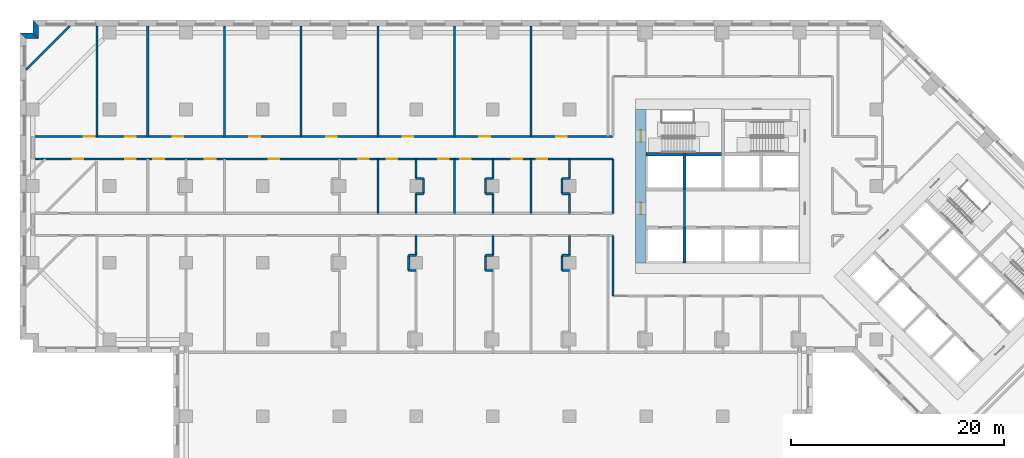
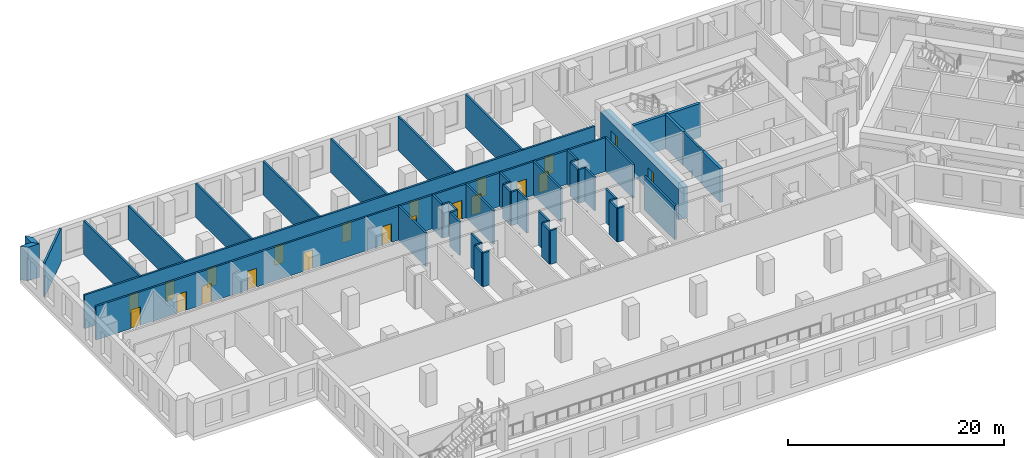
# One storey, part 5 of 14: 49 walls, 21 doors, 21 openings.
"""IFC4 building model written with IfcOpenShell, lengths in metres."""

import ifcopenshell
import ifcopenshell.guid

model = None  # the IFC model being written
_history = None  # IfcOwnerHistory: only IFC2X3 demands one
_inside = {}  # id of a spatial element -> (the spatial element, [elements in it])
_under = {}  # id of a project, library or spatial element -> (it, [spatial elements below it])
_declared = {}  # id of a project -> (the project, [libraries it declares])
_typed = {}  # id of a type object -> (the type object, [elements of that type])
_made_of = {}  # id of a material, layer set ... -> (it, [elements and type objects made of it])


def new_model(schema):
    """Start an empty IFC model of exactly this schema.

    Asked for "IFC4X3", IfcOpenShell would pick the latest addendum, in which some entities
    have other attributes; the version numbers below select the first issue.
    IFC2X3 requires an IfcOwnerHistory on every rooted entity: one is made here for all.
    """
    global model, _history
    if schema == "IFC4X3":
        model = ifcopenshell.file(schema_version=(4, 3, 0, 0))
    else:
        model = ifcopenshell.file(schema=schema)
    _inside.clear()
    _under.clear()
    _declared.clear()
    _typed.clear()
    _made_of.clear()
    _history = None
    if model.schema == "IFC2X3":
        org = make("IfcOrganization", Name="unknown")
        user = make(
            "IfcPersonAndOrganization",
            ThePerson=make("IfcPerson", FamilyName="unknown"),
            TheOrganization=org,
        )
        app = make(
            "IfcApplication",
            ApplicationDeveloper=org,
            Version="unknown",
            ApplicationFullName="unknown",
            ApplicationIdentifier="unknown",
        )
        _history = make(
            "IfcOwnerHistory",
            OwningUser=user,
            OwningApplication=app,
            ChangeAction="ADDED",
            CreationDate=0,
        )
    return model


def make(cls, **values):
    """One entity of the class cls with the attributes given. An attribute that is None is left unset."""
    return model.create_entity(
        cls, **{name: value for name, value in values.items() if value is not None}
    )


def rooted(cls, **values):
    """An entity with a GlobalId (a new one), such as an element, a storey or a relation."""
    return make(cls, GlobalId=ifcopenshell.guid.new(), OwnerHistory=_history, **values)


def si_unit(unit_type, name, prefix=None):
    """IfcSIUnit, for example si_unit("LENGTHUNIT", "METRE", prefix="MILLI")."""
    return make("IfcSIUnit", UnitType=unit_type, Prefix=prefix, Name=name)


def assignment(units):
    """IfcUnitAssignment: the units of a project."""
    return None if units is None else make("IfcUnitAssignment", Units=units)


def point(xyz):
    """IfcCartesianPoint."""
    return None if xyz is None else make("IfcCartesianPoint", Coordinates=xyz)


def direction(xyz):
    """IfcDirection."""
    return None if xyz is None else make("IfcDirection", DirectionRatios=xyz)


def frame(location, z_axis=None, x_axis=None):
    """IfcAxis2Placement3D, a coordinate frame: its origin and axes. An axis left out is left unset."""
    return make(
        "IfcAxis2Placement3D",
        Location=point(location),
        Axis=direction(z_axis),
        RefDirection=direction(x_axis),
    )


def frame_2d(location, x_axis=None):
    """IfcAxis2Placement2D, a coordinate frame in the plane: its origin and x axis."""
    return make(
        "IfcAxis2Placement2D", Location=point(location), RefDirection=direction(x_axis)
    )


def origin():
    """The frame at (0, 0, 0) with its axes left unset."""
    return frame((0.0, 0.0, 0.0))


def place(relative_to, where):
    """IfcLocalPlacement: puts the frame where relative to a parent placement (None: the world)."""
    return make(
        "IfcLocalPlacement", PlacementRelTo=relative_to, RelativePlacement=where
    )


def context(
    kind, dimensions, precision=None, world=None, true_north=None, identifier=None
):
    """IfcGeometricRepresentationContext, for example the 3D "Model" context."""
    return make(
        "IfcGeometricRepresentationContext",
        ContextIdentifier=identifier,
        ContextType=kind,
        CoordinateSpaceDimension=dimensions,
        Precision=precision,
        WorldCoordinateSystem=world,
        TrueNorth=true_north,
    )


def subcontext(parent, identifier, kind, view, scale=None):
    """IfcGeometricRepresentationSubContext, for example "Body" below "Model"."""
    return make(
        "IfcGeometricRepresentationSubContext",
        ContextIdentifier=identifier,
        ContextType=kind,
        ParentContext=parent,
        TargetScale=scale,
        TargetView=view,
    )


def project(units=None, contexts=None):
    """IfcProject with its units and contexts."""
    return rooted(
        "IfcProject",
        Name="project",
        RepresentationContexts=contexts,
        UnitsInContext=assignment(units),
    )


def spatial(cls, under=None, at=None, **own):
    """A site, building, storey or space (cls), placed at a placement, below another one or the project."""
    s = rooted(cls, ObjectPlacement=at, **own)
    if under is not None:
        _under.setdefault(under.id(), (under, []))[1].append(s)
    return s


def polyline(points):
    """IfcPolyline through the points."""
    return make("IfcPolyline", Points=[point(p) for p in points])


def profile(cls, at=None, kind="AREA", **sizes):
    """A parametric profile (cls). Its sizes go by their IFC names, for example OverallWidth=200.0."""
    return make(cls, ProfileType=kind, Position=at, **sizes)


def rectangle(**sizes):
    """IfcRectangleProfileDef."""
    return profile("IfcRectangleProfileDef", **sizes)


def outline(outer, holes=None, kind="AREA"):
    """IfcArbitraryClosedProfileDef: a profile drawn as a closed curve; with holes, ...WithVoids."""
    if holes is None:
        return make("IfcArbitraryClosedProfileDef", ProfileType=kind, OuterCurve=outer)
    return make(
        "IfcArbitraryProfileDefWithVoids",
        ProfileType=kind,
        OuterCurve=outer,
        InnerCurves=holes,
    )


def extrude(swept, where, along, depth):
    """IfcExtrudedAreaSolid: the profile swept, set in the frame where, extruded along a direction by depth."""
    return make(
        "IfcExtrudedAreaSolid",
        SweptArea=swept,
        Position=where,
        ExtrudedDirection=direction(along),
        Depth=depth,
    )


def shape(context_of_items, identifier, shape_type, items):
    """IfcShapeRepresentation: the items that make up one representation, for example the "Body"."""
    return make(
        "IfcShapeRepresentation",
        ContextOfItems=context_of_items,
        RepresentationIdentifier=identifier,
        RepresentationType=shape_type,
        Items=items,
    )


def material(Name=None, Category=None):
    """IfcMaterial."""
    return make("IfcMaterial", Name=Name, Category=Category)


def layer(
    of_material, thickness, ventilated=None, Name=None, Category=None, Priority=None
):
    """IfcMaterialLayer: one layer of a wall or slab, of a material (None: an air gap)."""
    return make(
        "IfcMaterialLayer",
        Material=of_material,
        LayerThickness=thickness,
        IsVentilated=ventilated,
        Name=Name,
        Category=Category,
        Priority=Priority,
    )


def layer_set(layers, Name=None):
    """IfcMaterialLayerSet."""
    return make("IfcMaterialLayerSet", MaterialLayers=layers, LayerSetName=Name)


def made_of(thing, what):
    """Note that an element or type object is made of a material, layer set ...; save() writes the relation."""
    if what is not None:
        _made_of.setdefault(what.id(), (what, []))[1].append(thing)
    return thing


def type_object(cls, material=None, **own):
    """A type object (cls), such as IfcWallType, which elements share."""
    return made_of(rooted(cls, **own), material)


def element(
    cls,
    number,
    at=None,
    inside=None,
    cuts=None,
    type_object=None,
    material=None,
    context=None,
    identifier="Body",
    shape_type=None,
    held_by="IfcProductDefinitionShape",
    body=None,
    shapes=None,
    **own,
):
    """One element of the class cls, such as IfcWall. Its Tag is "e" and its number.

    at: its placement. inside: the storey or other place that contains it. cuts: it is an
    opening in that element (IfcRelVoidsElement). A single representation is given by context,
    identifier, shape_type and body (its items); several are given by shapes. held_by: the class
    of the entity that holds the representations. save() writes the other relations.
    """
    e = rooted(cls, Tag="e%d" % number, ObjectPlacement=at, **own)
    if body is not None:
        shapes = [shape(context, identifier, shape_type, body)]
    if shapes is not None:
        e.Representation = make(held_by, Representations=shapes)
    if inside is not None:
        _inside.setdefault(inside.id(), (inside, []))[1].append(e)
    if cuts is not None:
        rooted(
            "IfcRelVoidsElement", RelatingBuildingElement=cuts, RelatedOpeningElement=e
        )
    if type_object is not None:
        _typed.setdefault(type_object.id(), (type_object, []))[1].append(e)
    return made_of(e, material)


def fill(opening, filler):
    """IfcRelFillsElement: the door or window that sits in an opening."""
    return rooted(
        "IfcRelFillsElement",
        RelatingOpeningElement=opening,
        RelatedBuildingElement=filler,
    )


def aggregate(whole, parts):
    """IfcRelAggregates: a whole, such as a stair, and the parts it consists of."""
    return rooted("IfcRelAggregates", RelatingObject=whole, RelatedObjects=parts)


def save(model, path):
    """Write the relations noted so far, then the file.

    IfcRelAggregates (storeys below a building ...), IfcRelContainedInSpatialStructure (elements
    in a storey), IfcRelDefinesByType, IfcRelAssociatesMaterial and IfcRelDeclares: one each for
    every whole, place, type object, material and project.
    """
    for whole, parts in _under.values():
        aggregate(whole, parts)
    for where, things in _inside.values():
        rooted(
            "IfcRelContainedInSpatialStructure",
            RelatedElements=things,
            RelatingStructure=where,
        )
    for kind, things in _typed.values():
        rooted("IfcRelDefinesByType", RelatedObjects=things, RelatingType=kind)
    for what, things in _made_of.values():
        rooted("IfcRelAssociatesMaterial", RelatedObjects=things, RelatingMaterial=what)
    for by, libraries in _declared.values():
        rooted("IfcRelDeclares", RelatingContext=by, RelatedDefinitions=libraries)
    model.write(path)


model = new_model("IFC4")

# Units and contexts
model_context = context("Model", 3, precision=1e-05, world=origin(), true_north=direction((0.0, 1.0)))
body_context = subcontext(model_context, "Body", "Model", "MODEL_VIEW")
ifc_project = project(units=[si_unit("LENGTHUNIT", "METRE"), si_unit("AREAUNIT", "SQUARE_METRE"), si_unit("VOLUMEUNIT", "CUBIC_METRE"), si_unit("PLANEANGLEUNIT", "RADIAN"), si_unit("MASSUNIT", "GRAM", prefix="KILO")], contexts=[model_context])

# Site, building, storey
site_placement = place(None, origin())
site = spatial("IfcSite", under=ifc_project, at=site_placement, CompositionType="ELEMENT")
building_placement = place(site_placement, origin())
building = spatial("IfcBuilding", under=site, at=building_placement, Name="Windrow Commons", CompositionType="ELEMENT")
storey_placement = place(building_placement, frame((0.0, 0.0, 10.2)))
storey = spatial("IfcBuildingStorey", under=building, at=storey_placement, Name="L02", CompositionType="ELEMENT", Elevation=10.2)

# Walls
ifc_material_1 = material(Name="Brick masonry, red clay brick", Category="masonry")
ifc_layer_1 = layer(ifc_material_1, 0.55)
ifc_layer_set_1 = layer_set([ifc_layer_1], Name="Brick facade wall 550")
wall_type_1 = type_object("IfcWallType", Name="Brick facade wall 550", PredefinedType="SOLIDWALL", material=ifc_layer_set_1)
wall_1_placement = place(storey_placement, frame((0.275, 72.925, 0.0), z_axis=(0.0, 0.0, 1.0), x_axis=(0.0, -1.0, 0.0)))
element("IfcWall", 1, at=wall_1_placement, inside=storey, type_object=wall_type_1, Name="Brick facade wall L02 6", PredefinedType="SOLIDWALL", context=body_context, shape_type="SweptSolid", body=[
    extrude(outline(polyline([(-0.275, -0.275), (0.925, -0.275), (1.475, 0.275), (0.275, 0.275), (-0.275, -0.275)])), origin(), (0.0, 0.0, 1.0), 3.8),
])
wall_2_placement = place(storey_placement, frame((0.275, 71.725, 0.0), z_axis=(0.0, 0.0, 1.0), x_axis=(-1.0, 0.0, 0.0)))
element("IfcWall", 2, at=wall_2_placement, inside=storey, type_object=wall_type_1, Name="Brick facade wall L02 7", PredefinedType="SOLIDWALL", context=body_context, shape_type="SweptSolid", body=[
    extrude(outline(polyline([(0.275, -0.275), (1.475, -0.275), (0.925, 0.275), (-0.275, 0.275), (0.275, -0.275)])), origin(), (0.0, 0.0, 1.0), 3.8),
])
ifc_material_2 = material(Name="Blockwork partition", Category="masonry")
ifc_layer_2 = layer(ifc_material_2, 0.2)
ifc_layer_set_2 = layer_set([ifc_layer_2], Name="Fire lobby partition 200")
wall_type_2 = type_object("IfcWallType", Name="Fire lobby partition 200", PredefinedType="PARTITIONING", material=ifc_layer_set_2)
wall_3_placement = place(storey_placement, frame((61.2, 53.7, 0.0), z_axis=(0.0, 0.0, 1.0), x_axis=(0.0, 1.0, 0.0)))
element("IfcWall", 3, at=wall_3_placement, inside=storey, type_object=wall_type_2, Name="W-core-lobby-A-L02", PredefinedType="PARTITIONING", context=body_context, shape_type="SweptSolid", body=[
    extrude(rectangle(XDim=3.6, YDim=0.2, at=frame_2d((1.8, 0.0))), origin(), (0.0, 0.0, 1.0), 3.8),
])

# Wall, openings, doors
ifc_material_3 = material(Name="Blockwork partition", Category="masonry")
ifc_layer_3 = layer(ifc_material_3, 0.2)
ifc_layer_set_3 = layer_set([ifc_layer_3], Name="IW-CORRIDOR-200")
wall_type_3 = type_object("IfcWallType", Name="IW-CORRIDOR-200", PredefinedType="PARTITIONING", material=ifc_layer_set_3)
wall_4_placement = place(storey_placement, frame((0.002, 60.15, 0.0), z_axis=(0.0, 0.0, 1.0), x_axis=(1.0, 0.0, 0.0)))
wall_4 = element("IfcWall", 4, at=wall_4_placement, inside=storey, type_object=wall_type_3, Name="W-L02-W003", PredefinedType="PARTITIONING", context=body_context, shape_type="SweptSolid", body=[
    extrude(rectangle(XDim=54.498, YDim=0.2, at=frame_2d((27.249, 0.0))), origin(), (0.0, 0.0, 1.0), 3.8),
])
opening_1_placement = place(wall_4_placement, frame((8.6667, 0.0, 0.0)))
opening_1 = element("IfcOpeningElement", 5, at=opening_1_placement, cuts=wall_4, Name="Opening D310F", PredefinedType="OPENING", context=body_context, shape_type="SweptSolid", body=[
    extrude(rectangle(XDim=1.0, YDim=2.1, at=frame_2d((0.5, 1.05))), frame((0.0, 0.11, 0.0), z_axis=(0.0, -1.0, 0.0), x_axis=(1.0, 0.0, 0.0)), (0.0, 0.0, 1.0), 0.22),
])
opening_2_placement = place(wall_4_placement, frame((11.323, 0.0, 0.0)))
opening_2 = element("IfcOpeningElement", 6, at=opening_2_placement, cuts=wall_4, Name="Opening D310F", PredefinedType="OPENING", context=body_context, shape_type="SweptSolid", body=[
    extrude(rectangle(XDim=1.0, YDim=2.1, at=frame_2d((0.5, 1.05))), frame((0.0, 0.11, 0.0), z_axis=(0.0, -1.0, 0.0), x_axis=(1.0, 0.0, 0.0)), (0.0, 0.0, 1.0), 0.22),
])
opening_3_placement = place(wall_4_placement, frame((16.163, 0.0, 0.0)))
opening_3 = element("IfcOpeningElement", 7, at=opening_3_placement, cuts=wall_4, Name="Opening D310F", PredefinedType="OPENING", context=body_context, shape_type="SweptSolid", body=[
    extrude(rectangle(XDim=1.0, YDim=2.1, at=frame_2d((0.5, 1.05))), frame((0.0, 0.11, 0.0), z_axis=(0.0, -1.0, 0.0), x_axis=(1.0, 0.0, 0.0)), (0.0, 0.0, 1.0), 0.22),
])
opening_4_placement = place(wall_4_placement, frame((22.1397, 0.0, 0.0)))
opening_4 = element("IfcOpeningElement", 8, at=opening_4_placement, cuts=wall_4, Name="Opening D310F", PredefinedType="OPENING", context=body_context, shape_type="SweptSolid", body=[
    extrude(rectangle(XDim=1.0, YDim=2.1, at=frame_2d((0.5, 1.05))), frame((0.0, 0.11, 0.0), z_axis=(0.0, -1.0, 0.0), x_axis=(1.0, 0.0, 0.0)), (0.0, 0.0, 1.0), 0.22),
])
opening_5_placement = place(wall_4_placement, frame((30.563, 0.0, 0.0)))
opening_5 = element("IfcOpeningElement", 9, at=opening_5_placement, cuts=wall_4, Name="Opening D310F", PredefinedType="OPENING", context=body_context, shape_type="SweptSolid", body=[
    extrude(rectangle(XDim=1.0, YDim=2.1, at=frame_2d((0.5, 1.05))), frame((0.0, 0.11, 0.0), z_axis=(0.0, -1.0, 0.0), x_axis=(1.0, 0.0, 0.0)), (0.0, 0.0, 1.0), 0.22),
])
opening_6_placement = place(wall_4_placement, frame((33.233, 0.0, 0.0)))
opening_6 = element("IfcOpeningElement", 10, at=opening_6_placement, cuts=wall_4, Name="Opening D310F", PredefinedType="OPENING", context=body_context, shape_type="SweptSolid", body=[
    extrude(rectangle(XDim=1.0, YDim=2.1, at=frame_2d((0.5, 1.05))), frame((0.0, 0.11, 0.0), z_axis=(0.0, -1.0, 0.0), x_axis=(1.0, 0.0, 0.0)), (0.0, 0.0, 1.0), 0.22),
])
opening_7_placement = place(wall_4_placement, frame((38.073, 0.0, 0.0)))
opening_7 = element("IfcOpeningElement", 11, at=opening_7_placement, cuts=wall_4, Name="Opening D310F", PredefinedType="OPENING", context=body_context, shape_type="SweptSolid", body=[
    extrude(rectangle(XDim=1.0, YDim=2.1, at=frame_2d((0.5, 1.05))), frame((0.0, 0.11, 0.0), z_axis=(0.0, -1.0, 0.0), x_axis=(1.0, 0.0, 0.0)), (0.0, 0.0, 1.0), 0.22),
])
opening_8_placement = place(wall_4_placement, frame((40.123, 0.0, 0.0)))
opening_8 = element("IfcOpeningElement", 12, at=opening_8_placement, cuts=wall_4, Name="Opening D310F", PredefinedType="OPENING", context=body_context, shape_type="SweptSolid", body=[
    extrude(rectangle(XDim=1.0, YDim=2.1, at=frame_2d((0.5, 1.05))), frame((0.0, 0.11, 0.0), z_axis=(0.0, -1.0, 0.0), x_axis=(1.0, 0.0, 0.0)), (0.0, 0.0, 1.0), 0.22),
])
opening_9_placement = place(wall_4_placement, frame((44.963, 0.0, 0.0)))
opening_9 = element("IfcOpeningElement", 13, at=opening_9_placement, cuts=wall_4, Name="Opening D310F", PredefinedType="OPENING", context=body_context, shape_type="SweptSolid", body=[
    extrude(rectangle(XDim=1.0, YDim=2.1, at=frame_2d((0.5, 1.05))), frame((0.0, 0.11, 0.0), z_axis=(0.0, -1.0, 0.0), x_axis=(1.0, 0.0, 0.0)), (0.0, 0.0, 1.0), 0.22),
])
opening_10_placement = place(wall_4_placement, frame((47.323, 0.0, 0.0)))
opening_10 = element("IfcOpeningElement", 14, at=opening_10_placement, cuts=wall_4, Name="Opening D310F", PredefinedType="OPENING", context=body_context, shape_type="SweptSolid", body=[
    extrude(rectangle(XDim=1.0, YDim=2.1, at=frame_2d((0.5, 1.05))), frame((0.0, 0.11, 0.0), z_axis=(0.0, -1.0, 0.0), x_axis=(1.0, 0.0, 0.0)), (0.0, 0.0, 1.0), 0.22),
])
opening_11_placement = place(wall_4_placement, frame((3.7471, 0.0, 0.0)))
opening_11 = element("IfcOpeningElement", 15, at=opening_11_placement, cuts=wall_4, Name="Opening D310F", PredefinedType="OPENING", context=body_context, shape_type="SweptSolid", body=[
    extrude(rectangle(XDim=1.0, YDim=2.1, at=frame_2d((0.5, 1.05))), frame((0.0, 0.11, 0.0), z_axis=(0.0, -1.0, 0.0), x_axis=(1.0, 0.0, 0.0)), (0.0, 0.0, 1.0), 0.22),
])
ifc_material_4 = material(Name="Timber door leaf", Category="wood")
door_type_1 = type_object("IfcDoorType", Name="DT-AMENITY-1000", OperationType="SINGLE_SWING_LEFT", PredefinedType="DOOR", material=ifc_material_4)
door_1_placement = place(opening_1_placement, origin())
door_1 = element("IfcDoor", 16, at=door_1_placement, inside=storey, type_object=door_type_1, Name="D-L02-D018", OperationType="SINGLE_SWING_LEFT", OverallHeight=2.1, OverallWidth=1.0, PredefinedType="DOOR", context=body_context, shape_type="SweptSolid", body=[
    extrude(rectangle(XDim=1.0, YDim=2.1, at=frame_2d((0.5, 1.05))), frame((0.0, 0.025, 0.0), z_axis=(0.0, -1.0, 0.0), x_axis=(1.0, 0.0, 0.0)), (0.0, 0.0, 1.0), 0.05),
])
fill(opening_1, door_1)
door_2_placement = place(opening_2_placement, origin())
door_2 = element("IfcDoor", 17, at=door_2_placement, inside=storey, type_object=door_type_1, Name="D-L02-D019", OperationType="SINGLE_SWING_RIGHT", OverallHeight=2.1, OverallWidth=1.0, PredefinedType="DOOR", context=body_context, shape_type="SweptSolid", body=[
    extrude(rectangle(XDim=1.0, YDim=2.1, at=frame_2d((0.5, 1.05))), frame((0.0, 0.025, 0.0), z_axis=(0.0, -1.0, 0.0), x_axis=(1.0, 0.0, 0.0)), (0.0, 0.0, 1.0), 0.05),
])
fill(opening_2, door_2)
door_3_placement = place(opening_3_placement, origin())
door_3 = element("IfcDoor", 18, at=door_3_placement, inside=storey, type_object=door_type_1, Name="D-L02-D020", OperationType="SINGLE_SWING_LEFT", OverallHeight=2.1, OverallWidth=1.0, PredefinedType="DOOR", context=body_context, shape_type="SweptSolid", body=[
    extrude(rectangle(XDim=1.0, YDim=2.1, at=frame_2d((0.5, 1.05))), frame((0.0, 0.025, 0.0), z_axis=(0.0, -1.0, 0.0), x_axis=(1.0, 0.0, 0.0)), (0.0, 0.0, 1.0), 0.05),
])
fill(opening_3, door_3)
door_4_placement = place(opening_4_placement, origin())
door_4 = element("IfcDoor", 19, at=door_4_placement, inside=storey, type_object=door_type_1, Name="D-L02-D021", OperationType="SINGLE_SWING_RIGHT", OverallHeight=2.1, OverallWidth=1.0, PredefinedType="DOOR", context=body_context, shape_type="SweptSolid", body=[
    extrude(rectangle(XDim=1.0, YDim=2.1, at=frame_2d((0.5, 1.05))), frame((0.0, 0.025, 0.0), z_axis=(0.0, -1.0, 0.0), x_axis=(1.0, 0.0, 0.0)), (0.0, 0.0, 1.0), 0.05),
])
fill(opening_4, door_4)
door_5_placement = place(opening_5_placement, origin())
door_5 = element("IfcDoor", 20, at=door_5_placement, inside=storey, type_object=door_type_1, Name="D-L02-D022", OperationType="SINGLE_SWING_LEFT", OverallHeight=2.1, OverallWidth=1.0, PredefinedType="DOOR", context=body_context, shape_type="SweptSolid", body=[
    extrude(rectangle(XDim=1.0, YDim=2.1, at=frame_2d((0.5, 1.05))), frame((0.0, 0.025, 0.0), z_axis=(0.0, -1.0, 0.0), x_axis=(1.0, 0.0, 0.0)), (0.0, 0.0, 1.0), 0.05),
])
fill(opening_5, door_5)
door_6_placement = place(opening_6_placement, origin())
door_6 = element("IfcDoor", 21, at=door_6_placement, inside=storey, type_object=door_type_1, Name="D-L02-D023", OperationType="SINGLE_SWING_RIGHT", OverallHeight=2.1, OverallWidth=1.0, PredefinedType="DOOR", context=body_context, shape_type="SweptSolid", body=[
    extrude(rectangle(XDim=1.0, YDim=2.1, at=frame_2d((0.5, 1.05))), frame((0.0, 0.025, 0.0), z_axis=(0.0, -1.0, 0.0), x_axis=(1.0, 0.0, 0.0)), (0.0, 0.0, 1.0), 0.05),
])
fill(opening_6, door_6)
door_7_placement = place(opening_7_placement, origin())
door_7 = element("IfcDoor", 22, at=door_7_placement, inside=storey, type_object=door_type_1, Name="D-L02-D024", OperationType="SINGLE_SWING_LEFT", OverallHeight=2.1, OverallWidth=1.0, PredefinedType="DOOR", context=body_context, shape_type="SweptSolid", body=[
    extrude(rectangle(XDim=1.0, YDim=2.1, at=frame_2d((0.5, 1.05))), frame((0.0, 0.025, 0.0), z_axis=(0.0, -1.0, 0.0), x_axis=(1.0, 0.0, 0.0)), (0.0, 0.0, 1.0), 0.05),
])
fill(opening_7, door_7)
door_8_placement = place(opening_8_placement, origin())
door_8 = element("IfcDoor", 23, at=door_8_placement, inside=storey, type_object=door_type_1, Name="D-L02-D025", OperationType="SINGLE_SWING_RIGHT", OverallHeight=2.1, OverallWidth=1.0, PredefinedType="DOOR", context=body_context, shape_type="SweptSolid", body=[
    extrude(rectangle(XDim=1.0, YDim=2.1, at=frame_2d((0.5, 1.05))), frame((0.0, 0.025, 0.0), z_axis=(0.0, -1.0, 0.0), x_axis=(1.0, 0.0, 0.0)), (0.0, 0.0, 1.0), 0.05),
])
fill(opening_8, door_8)
door_9_placement = place(opening_9_placement, origin())
door_9 = element("IfcDoor", 24, at=door_9_placement, inside=storey, type_object=door_type_1, Name="D-L02-D026", OperationType="SINGLE_SWING_LEFT", OverallHeight=2.1, OverallWidth=1.0, PredefinedType="DOOR", context=body_context, shape_type="SweptSolid", body=[
    extrude(rectangle(XDim=1.0, YDim=2.1, at=frame_2d((0.5, 1.05))), frame((0.0, 0.025, 0.0), z_axis=(0.0, -1.0, 0.0), x_axis=(1.0, 0.0, 0.0)), (0.0, 0.0, 1.0), 0.05),
])
fill(opening_9, door_9)
door_10_placement = place(opening_10_placement, origin())
door_10 = element("IfcDoor", 25, at=door_10_placement, inside=storey, type_object=door_type_1, Name="D-L02-D027", OperationType="SINGLE_SWING_RIGHT", OverallHeight=2.1, OverallWidth=1.0, PredefinedType="DOOR", context=body_context, shape_type="SweptSolid", body=[
    extrude(rectangle(XDim=1.0, YDim=2.1, at=frame_2d((0.5, 1.05))), frame((0.0, 0.025, 0.0), z_axis=(0.0, -1.0, 0.0), x_axis=(1.0, 0.0, 0.0)), (0.0, 0.0, 1.0), 0.05),
])
fill(opening_10, door_10)
door_11_placement = place(opening_11_placement, origin())
door_11 = element("IfcDoor", 26, at=door_11_placement, inside=storey, type_object=door_type_1, Name="D-L02-D051", OperationType="SINGLE_SWING_LEFT", OverallHeight=2.1, OverallWidth=1.0, PredefinedType="DOOR", context=body_context, shape_type="SweptSolid", body=[
    extrude(rectangle(XDim=1.0, YDim=2.1, at=frame_2d((0.5, 1.05))), frame((0.0, 0.025, 0.0), z_axis=(0.0, -1.0, 0.0), x_axis=(1.0, 0.0, 0.0)), (0.0, 0.0, 1.0), 0.05),
])
fill(opening_11, door_11)

wall_5_placement = place(storey_placement, frame((0.002, 62.25, 0.0), z_axis=(0.0, 0.0, 1.0), x_axis=(1.0, 0.0, 0.0)))
wall_5 = element("IfcWall", 27, at=wall_5_placement, inside=storey, type_object=wall_type_3, Name="W-L02-W004", PredefinedType="PARTITIONING", context=body_context, shape_type="SweptSolid", body=[
    extrude(rectangle(XDim=54.498, YDim=0.2, at=frame_2d((27.249, 0.0))), origin(), (0.0, 0.0, 1.0), 3.8),
])
opening_12_placement = place(wall_5_placement, frame((8.6667, 0.0, 0.0)))
opening_12 = element("IfcOpeningElement", 28, at=opening_12_placement, cuts=wall_5, Name="Opening D310F", PredefinedType="OPENING", context=body_context, shape_type="SweptSolid", body=[
    extrude(rectangle(XDim=1.0, YDim=2.1, at=frame_2d((0.5, 1.05))), frame((0.0, 0.11, 0.0), z_axis=(0.0, -1.0, 0.0), x_axis=(1.0, 0.0, 0.0)), (0.0, 0.0, 1.0), 0.22),
])
opening_13_placement = place(wall_5_placement, frame((13.1355, 0.0, 0.0)))
opening_13 = element("IfcOpeningElement", 29, at=opening_13_placement, cuts=wall_5, Name="Opening D310F", PredefinedType="OPENING", context=body_context, shape_type="SweptSolid", body=[
    extrude(rectangle(XDim=1.0, YDim=2.1, at=frame_2d((0.5, 1.05))), frame((0.0, 0.11, 0.0), z_axis=(0.0, -1.0, 0.0), x_axis=(1.0, 0.0, 0.0)), (0.0, 0.0, 1.0), 0.22),
])
opening_14_placement = place(wall_5_placement, frame((20.3355, 0.0, 0.0)))
opening_14 = element("IfcOpeningElement", 30, at=opening_14_placement, cuts=wall_5, Name="Opening D310F", PredefinedType="OPENING", context=body_context, shape_type="SweptSolid", body=[
    extrude(rectangle(XDim=1.0, YDim=2.1, at=frame_2d((0.5, 1.05))), frame((0.0, 0.11, 0.0), z_axis=(0.0, -1.0, 0.0), x_axis=(1.0, 0.0, 0.0)), (0.0, 0.0, 1.0), 0.22),
])
opening_15_placement = place(wall_5_placement, frame((27.5355, 0.0, 0.0)))
opening_15 = element("IfcOpeningElement", 31, at=opening_15_placement, cuts=wall_5, Name="Opening D310F", PredefinedType="OPENING", context=body_context, shape_type="SweptSolid", body=[
    extrude(rectangle(XDim=1.0, YDim=2.1, at=frame_2d((0.5, 1.05))), frame((0.0, 0.11, 0.0), z_axis=(0.0, -1.0, 0.0), x_axis=(1.0, 0.0, 0.0)), (0.0, 0.0, 1.0), 0.22),
])
opening_16_placement = place(wall_5_placement, frame((34.7355, 0.0, 0.0)))
opening_16 = element("IfcOpeningElement", 32, at=opening_16_placement, cuts=wall_5, Name="Opening D310F", PredefinedType="OPENING", context=body_context, shape_type="SweptSolid", body=[
    extrude(rectangle(XDim=1.0, YDim=2.1, at=frame_2d((0.5, 1.05))), frame((0.0, 0.11, 0.0), z_axis=(0.0, -1.0, 0.0), x_axis=(1.0, 0.0, 0.0)), (0.0, 0.0, 1.0), 0.22),
])
opening_17_placement = place(wall_5_placement, frame((41.9355, 0.0, 0.0)))
opening_17 = element("IfcOpeningElement", 33, at=opening_17_placement, cuts=wall_5, Name="Opening D310F", PredefinedType="OPENING", context=body_context, shape_type="SweptSolid", body=[
    extrude(rectangle(XDim=1.0, YDim=2.1, at=frame_2d((0.5, 1.05))), frame((0.0, 0.11, 0.0), z_axis=(0.0, -1.0, 0.0), x_axis=(1.0, 0.0, 0.0)), (0.0, 0.0, 1.0), 0.22),
])
opening_18_placement = place(wall_5_placement, frame((49.1355, 0.0, 0.0)))
opening_18 = element("IfcOpeningElement", 34, at=opening_18_placement, cuts=wall_5, Name="Opening D310F", PredefinedType="OPENING", context=body_context, shape_type="SweptSolid", body=[
    extrude(rectangle(XDim=1.0, YDim=2.1, at=frame_2d((0.5, 1.05))), frame((0.0, 0.11, 0.0), z_axis=(0.0, -1.0, 0.0), x_axis=(1.0, 0.0, 0.0)), (0.0, 0.0, 1.0), 0.22),
])
opening_19_placement = place(wall_5_placement, frame((4.7992, 0.0, 0.0)))
opening_19 = element("IfcOpeningElement", 35, at=opening_19_placement, cuts=wall_5, Name="Opening D310F", PredefinedType="OPENING", context=body_context, shape_type="SweptSolid", body=[
    extrude(rectangle(XDim=1.0, YDim=2.1, at=frame_2d((0.5, 1.05))), frame((0.0, 0.11, 0.0), z_axis=(0.0, -1.0, 0.0), x_axis=(1.0, 0.0, 0.0)), (0.0, 0.0, 1.0), 0.22),
])
door_12_placement = place(opening_12_placement, origin())
door_12 = element("IfcDoor", 36, at=door_12_placement, inside=storey, type_object=door_type_1, Name="D-L02-D029", OperationType="SINGLE_SWING_RIGHT", OverallHeight=2.1, OverallWidth=1.0, PredefinedType="DOOR", context=body_context, shape_type="SweptSolid", body=[
    extrude(rectangle(XDim=1.0, YDim=2.1, at=frame_2d((0.5, 1.05))), frame((0.0, 0.025, 0.0), z_axis=(0.0, -1.0, 0.0), x_axis=(1.0, 0.0, 0.0)), (0.0, 0.0, 1.0), 0.05),
])
fill(opening_12, door_12)
door_13_placement = place(opening_13_placement, origin())
door_13 = element("IfcDoor", 37, at=door_13_placement, inside=storey, type_object=door_type_1, Name="D-L02-D030", OperationType="SINGLE_SWING_LEFT", OverallHeight=2.1, OverallWidth=1.0, PredefinedType="DOOR", context=body_context, shape_type="SweptSolid", body=[
    extrude(rectangle(XDim=1.0, YDim=2.1, at=frame_2d((0.5, 1.05))), frame((0.0, 0.025, 0.0), z_axis=(0.0, -1.0, 0.0), x_axis=(1.0, 0.0, 0.0)), (0.0, 0.0, 1.0), 0.05),
])
fill(opening_13, door_13)
door_14_placement = place(opening_14_placement, origin())
door_14 = element("IfcDoor", 38, at=door_14_placement, inside=storey, type_object=door_type_1, Name="D-L02-D031", OperationType="SINGLE_SWING_LEFT", OverallHeight=2.1, OverallWidth=1.0, PredefinedType="DOOR", context=body_context, shape_type="SweptSolid", body=[
    extrude(rectangle(XDim=1.0, YDim=2.1, at=frame_2d((0.5, 1.05))), frame((0.0, 0.025, 0.0), z_axis=(0.0, -1.0, 0.0), x_axis=(1.0, 0.0, 0.0)), (0.0, 0.0, 1.0), 0.05),
])
fill(opening_14, door_14)
door_15_placement = place(opening_15_placement, origin())
door_15 = element("IfcDoor", 39, at=door_15_placement, inside=storey, type_object=door_type_1, Name="D-L02-D032", OperationType="SINGLE_SWING_LEFT", OverallHeight=2.1, OverallWidth=1.0, PredefinedType="DOOR", context=body_context, shape_type="SweptSolid", body=[
    extrude(rectangle(XDim=1.0, YDim=2.1, at=frame_2d((0.5, 1.05))), frame((0.0, 0.025, 0.0), z_axis=(0.0, -1.0, 0.0), x_axis=(1.0, 0.0, 0.0)), (0.0, 0.0, 1.0), 0.05),
])
fill(opening_15, door_15)
door_16_placement = place(opening_16_placement, origin())
door_16 = element("IfcDoor", 40, at=door_16_placement, inside=storey, type_object=door_type_1, Name="D-L02-D033", OperationType="SINGLE_SWING_LEFT", OverallHeight=2.1, OverallWidth=1.0, PredefinedType="DOOR", context=body_context, shape_type="SweptSolid", body=[
    extrude(rectangle(XDim=1.0, YDim=2.1, at=frame_2d((0.5, 1.05))), frame((0.0, 0.025, 0.0), z_axis=(0.0, -1.0, 0.0), x_axis=(1.0, 0.0, 0.0)), (0.0, 0.0, 1.0), 0.05),
])
fill(opening_16, door_16)
door_17_placement = place(opening_17_placement, origin())
door_17 = element("IfcDoor", 41, at=door_17_placement, inside=storey, type_object=door_type_1, Name="D-L02-D034", OperationType="SINGLE_SWING_LEFT", OverallHeight=2.1, OverallWidth=1.0, PredefinedType="DOOR", context=body_context, shape_type="SweptSolid", body=[
    extrude(rectangle(XDim=1.0, YDim=2.1, at=frame_2d((0.5, 1.05))), frame((0.0, 0.025, 0.0), z_axis=(0.0, -1.0, 0.0), x_axis=(1.0, 0.0, 0.0)), (0.0, 0.0, 1.0), 0.05),
])
fill(opening_17, door_17)
door_18_placement = place(opening_18_placement, origin())
door_18 = element("IfcDoor", 42, at=door_18_placement, inside=storey, type_object=door_type_1, Name="D-L02-D035", OperationType="SINGLE_SWING_LEFT", OverallHeight=2.1, OverallWidth=1.0, PredefinedType="DOOR", context=body_context, shape_type="SweptSolid", body=[
    extrude(rectangle(XDim=1.0, YDim=2.1, at=frame_2d((0.5, 1.05))), frame((0.0, 0.025, 0.0), z_axis=(0.0, -1.0, 0.0), x_axis=(1.0, 0.0, 0.0)), (0.0, 0.0, 1.0), 0.05),
])
fill(opening_18, door_18)
door_19_placement = place(opening_19_placement, origin())
door_19 = element("IfcDoor", 43, at=door_19_placement, inside=storey, type_object=door_type_1, Name="D-L02-D050", OperationType="SINGLE_SWING_LEFT", OverallHeight=2.1, OverallWidth=1.0, PredefinedType="DOOR", context=body_context, shape_type="SweptSolid", body=[
    extrude(rectangle(XDim=1.0, YDim=2.1, at=frame_2d((0.5, 1.05))), frame((0.0, 0.025, 0.0), z_axis=(0.0, -1.0, 0.0), x_axis=(1.0, 0.0, 0.0)), (0.0, 0.0, 1.0), 0.05),
])
fill(opening_19, door_19)

# Walls
wall_6_placement = place(storey_placement, frame((54.5, 47.3, 0.0), z_axis=(0.0, 0.0, 1.0), x_axis=(0.0, 1.0, 0.0)))
element("IfcWall", 44, at=wall_6_placement, inside=storey, type_object=wall_type_3, Name="W-L02-W046", PredefinedType="PARTITIONING", context=body_context, shape_type="SweptSolid", body=[
    extrude(rectangle(XDim=5.65, YDim=0.2, at=frame_2d((2.825, 0.0))), origin(), (0.0, 0.0, 1.0), 3.8),
])
wall_7_placement = place(storey_placement, frame((54.5, 55.052, 0.0), z_axis=(0.0, 0.0, 1.0), x_axis=(0.0, 1.0, 0.0)))
element("IfcWall", 45, at=wall_7_placement, inside=storey, type_object=wall_type_3, Name="W-L02-W059", PredefinedType="PARTITIONING", context=body_context, shape_type="SweptSolid", body=[
    extrude(rectangle(XDim=5.098, YDim=0.2, at=frame_2d((2.549, 0.0))), origin(), (0.0, 0.0, 1.0), 3.8),
])
ifc_material_5 = material(Name="Blockwork partition", Category="masonry")
ifc_layer_4 = layer(ifc_material_5, 0.2)
ifc_layer_set_4 = layer_set([ifc_layer_4], Name="IW-PARTY-200")
wall_type_4 = type_object("IfcWallType", Name="IW-PARTY-200", PredefinedType="PARTITIONING", material=ifc_layer_set_4)
for number, where, z_axis, x_axis, name in (
    (46, (6.03, 62.25, 0.0), (0.0, 0.0, 1.0), (0.0, 1.0, 0.0), "W-L02-W019"),
    (47, (10.8, 62.25, 0.0), (0.0, 0.0, 1.0), (0.0, 1.0, 0.0), "W-L02-W020"),
    (48, (18.0, 62.25, 0.0), (0.0, 0.0, 1.0), (0.0, 1.0, 0.0), "W-L02-W021"),
    (49, (25.2, 62.25, 0.0), (0.0, 0.0, 1.0), (0.0, 1.0, 0.0), "W-L02-W022"),
    (50, (32.4, 62.25, 0.0), (0.0, 0.0, 1.0), (0.0, 1.0, 0.0), "W-L02-W023"),
    (51, (39.6, 62.25, 0.0), (0.0, 0.0, 1.0), (0.0, 1.0, 0.0), "W-L02-W024"),
    (52, (46.8, 62.25, 0.0), (0.0, 0.0, 1.0), (0.0, 1.0, 0.0), "W-L02-W025"),
):
    element("IfcWall", number, at=place(storey_placement, frame(where, z_axis=z_axis, x_axis=x_axis)), inside=storey, type_object=wall_type_4, Name=name, PredefinedType="PARTITIONING", context=body_context, shape_type="SweptSolid", body=[
        extrude(rectangle(XDim=10.4, YDim=0.2, at=frame_2d((5.2, 0.0))), origin(), (0.0, 0.0, 1.0), 3.8),
    ])
wall_8_placement = place(storey_placement, frame((-0.65, 68.5192, 0.0), z_axis=(0.0, 0.0, 1.0), x_axis=(0.7071067812, 0.7071067812, 0.0)))
element("IfcWall", 53, at=wall_8_placement, inside=storey, type_object=wall_type_4, Name="W-L02-W045", PredefinedType="PARTITIONING", context=body_context, shape_type="SweptSolid", body=[
    extrude(rectangle(XDim=5.8418, YDim=0.2, at=frame_2d((2.9209, 0.0))), origin(), (0.0, 0.0, 1.0), 3.8),
])
for number, where, z_axis, x_axis, name in (
    (54, (32.4, 55.05, 0.0), (0.0, 0.0, 1.0), (0.0, 1.0, 0.0), "W-L02-W056"),
    (55, (39.6, 55.05, 0.0), (0.0, 0.0, 1.0), (0.0, 1.0, 0.0), "W-L02-W057"),
    (56, (46.8, 55.05, 0.0), (0.0, 0.0, 1.0), (0.0, 1.0, 0.0), "W-L02-W058"),
):
    element("IfcWall", number, at=place(storey_placement, frame(where, z_axis=z_axis, x_axis=x_axis)), inside=storey, type_object=wall_type_4, Name=name, PredefinedType="PARTITIONING", context=body_context, shape_type="SweptSolid", body=[
        extrude(rectangle(XDim=5.1, YDim=0.2, at=frame_2d((2.55, 0.0))), origin(), (0.0, 0.0, 1.0), 3.8),
    ])
for number, where, z_axis, x_axis, name in (
    (57, (36.0, 51.106, 0.0), (0.0, 0.0, 1.0), (0.0, 1.0, 0.0), "W-L02-W090"),
    (58, (36.0, 55.05, 0.0), (0.0, 0.0, 1.0), (0.0, 1.0, 0.0), "W-L02-W091"),
    (59, (36.0, 58.306, 0.0), (0.0, 0.0, 1.0), (0.0, 1.0, 0.0), "W-L02-W092"),
    (60, (43.2, 51.106, 0.0), (0.0, 0.0, 1.0), (0.0, 1.0, 0.0), "W-L02-W093"),
    (61, (43.2, 55.05, 0.0), (0.0, 0.0, 1.0), (0.0, 1.0, 0.0), "W-L02-W094"),
    (62, (43.2, 58.306, 0.0), (0.0, 0.0, 1.0), (0.0, 1.0, 0.0), "W-L02-W095"),
    (63, (50.4, 51.106, 0.0), (0.0, 0.0, 1.0), (0.0, 1.0, 0.0), "W-L02-W096"),
    (64, (50.4, 55.05, 0.0), (0.0, 0.0, 1.0), (0.0, 1.0, 0.0), "W-L02-W097"),
    (65, (50.4, 58.306, 0.0), (0.0, 0.0, 1.0), (0.0, 1.0, 0.0), "W-L02-W098"),
):
    element("IfcWall", number, at=place(storey_placement, frame(where, z_axis=z_axis, x_axis=x_axis)), inside=storey, type_object=wall_type_4, Name=name, PredefinedType="PARTITIONING", context=body_context, shape_type="SweptSolid", body=[
        extrude(rectangle(XDim=1.844, YDim=0.2, at=frame_2d((0.922, 0.0))), origin(), (0.0, 0.0, 1.0), 3.8),
    ])
for number, where, z_axis, x_axis, name in (
    (66, (35.3, 49.694, 0.0), (0.0, 0.0, 1.0), (0.0, 1.0, 0.0), "W-L02-W110"),
    (67, (36.7, 56.894, 0.0), (0.0, 0.0, 1.0), (0.0, 1.0, 0.0), "W-L02-W111"),
    (68, (42.5, 49.694, 0.0), (0.0, 0.0, 1.0), (0.0, 1.0, 0.0), "W-L02-W112"),
    (69, (42.5, 56.894, 0.0), (0.0, 0.0, 1.0), (0.0, 1.0, 0.0), "W-L02-W113"),
    (70, (49.7, 49.694, 0.0), (0.0, 0.0, 1.0), (0.0, 1.0, 0.0), "W-L02-W114"),
    (71, (49.7, 56.894, 0.0), (0.0, 0.0, 1.0), (0.0, 1.0, 0.0), "W-L02-W115"),
):
    element("IfcWall", number, at=place(storey_placement, frame(where, z_axis=z_axis, x_axis=x_axis)), inside=storey, type_object=wall_type_4, Name=name, PredefinedType="PARTITIONING", context=body_context, shape_type="SweptSolid", body=[
        extrude(rectangle(XDim=1.412, YDim=0.2, at=frame_2d((0.706, 0.0))), origin(), (0.0, 0.0, 1.0), 3.8),
    ])
for number, where, z_axis, x_axis, name in (
    (72, (36.0, 58.31, 0.0), (0.0, 0.0, 1.0), (1.0, 0.0, 0.0), "W-L02-W138"),
    (73, (42.5, 58.31, 0.0), (0.0, 0.0, 1.0), (1.0, 0.0, 0.0), "W-L02-W139"),
    (74, (36.0, 56.89, 0.0), (0.0, 0.0, 1.0), (1.0, 0.0, 0.0), "W-L02-W140"),
    (75, (42.5, 56.89, 0.0), (0.0, 0.0, 1.0), (1.0, 0.0, 0.0), "W-L02-W141"),
    (76, (35.3, 51.11, 0.0), (0.0, 0.0, 1.0), (1.0, 0.0, 0.0), "W-L02-W142"),
    (77, (42.5, 51.11, 0.0), (0.0, 0.0, 1.0), (1.0, 0.0, 0.0), "W-L02-W143"),
    (78, (35.3, 49.69, 0.0), (0.0, 0.0, 1.0), (1.0, 0.0, 0.0), "W-L02-W144"),
    (79, (42.5, 49.69, 0.0), (0.0, 0.0, 1.0), (1.0, 0.0, 0.0), "W-L02-W145"),
    (80, (49.7, 58.31, 0.0), (0.0, 0.0, 1.0), (1.0, 0.0, 0.0), "W-L02-W166"),
    (81, (49.7, 56.89, 0.0), (0.0, 0.0, 1.0), (1.0, 0.0, 0.0), "W-L02-W167"),
    (82, (49.7, 51.11, 0.0), (0.0, 0.0, 1.0), (1.0, 0.0, 0.0), "W-L02-W168"),
    (83, (49.7, 49.69, 0.0), (0.0, 0.0, 1.0), (1.0, 0.0, 0.0), "W-L02-W169"),
):
    element("IfcWall", number, at=place(storey_placement, frame(where, z_axis=z_axis, x_axis=x_axis)), inside=storey, type_object=wall_type_4, Name=name, PredefinedType="PARTITIONING", context=body_context, shape_type="SweptSolid", body=[
        extrude(rectangle(XDim=0.7, YDim=0.2, at=frame_2d((0.35, 0.0))), origin(), (0.0, 0.0, 1.0), 3.8),
    ])

# Wall, openings, doors
ifc_material_6 = material(Name="Concrete C60/75", Category="concrete")
ifc_layer_5 = layer(ifc_material_6, 1.0)
ifc_layer_set_5 = layer_set([ifc_layer_5], Name="RC CORE WALL 1000 C60/75")
wall_type_5 = type_object("IfcWallType", Name="RC CORE WALL 1000 C60/75", PredefinedType="SHEAR", material=ifc_layer_set_5)
wall_9_placement = place(storey_placement, frame((57.1, 50.4, -0.4), z_axis=(0.0, 0.0, 1.0), x_axis=(0.0, 1.0, 0.0)))
wall_9 = element("IfcWall", 84, at=wall_9_placement, inside=storey, type_object=wall_type_5, Name="Core A wall outer-W", PredefinedType="SHEAR", context=body_context, shape_type="SweptSolid", body=[
    extrude(rectangle(XDim=14.4, YDim=1.0, at=frame_2d((7.2, 0.0))), origin(), (0.0, 0.0, 1.0), 3.5),
])
opening_20_placement = place(wall_9_placement, frame((4.55, 0.0, 0.4)))
opening_20 = element("IfcOpeningElement", 85, at=opening_20_placement, cuts=wall_9, Name="Opening D6", PredefinedType="OPENING", context=body_context, shape_type="SweptSolid", body=[
    extrude(rectangle(XDim=1.1, YDim=2.1, at=frame_2d((0.55, 1.05))), frame((0.0, 0.51, 0.0), z_axis=(0.0, -1.0, 0.0), x_axis=(1.0, 0.0, 0.0)), (0.0, 0.0, 1.0), 1.02),
])
opening_21_placement = place(wall_9_placement, frame((11.35, 0.0, 0.4)))
opening_21 = element("IfcOpeningElement", 86, at=opening_21_placement, cuts=wall_9, Name="Opening D7", PredefinedType="OPENING", context=body_context, shape_type="SweptSolid", body=[
    extrude(rectangle(XDim=1.1, YDim=2.1, at=frame_2d((0.55, 1.05))), frame((0.0, 0.51, 0.0), z_axis=(0.0, -1.0, 0.0), x_axis=(1.0, 0.0, 0.0)), (0.0, 0.0, 1.0), 1.02),
])
ifc_material_7 = material(Name="Steel fire door leaf", Category="steel")
door_type_2 = type_object("IfcDoorType", Name="Core lobby door 1100", OperationType="SINGLE_SWING_LEFT", PredefinedType="DOOR", material=ifc_material_7)
door_20_placement = place(opening_20_placement, origin())
door_20 = element("IfcDoor", 87, at=door_20_placement, inside=storey, type_object=door_type_2, Name="Lift lobby door", OperationType="DOUBLE_DOOR_SINGLE_SWING", OverallHeight=2.1, OverallWidth=1.1, PredefinedType="DOOR", context=body_context, shape_type="SweptSolid", body=[
    extrude(rectangle(XDim=1.1, YDim=2.1, at=frame_2d((0.55, 1.05))), frame((0.0, 0.025, 0.0), z_axis=(0.0, -1.0, 0.0), x_axis=(1.0, 0.0, 0.0)), (0.0, 0.0, 1.0), 0.05),
])
fill(opening_20, door_20)
ifc_material_8 = material(Name="Steel fire door leaf", Category="steel")
door_type_3 = type_object("IfcDoorType", Name="Stair door 1100", OperationType="SINGLE_SWING_LEFT", PredefinedType="DOOR", material=ifc_material_8)
door_21_placement = place(opening_21_placement, origin())
door_21 = element("IfcDoor", 88, at=door_21_placement, inside=storey, type_object=door_type_3, Name="Stair door", OperationType="SINGLE_SWING_LEFT", OverallHeight=2.1, OverallWidth=1.1, PredefinedType="DOOR", context=body_context, shape_type="SweptSolid", body=[
    extrude(rectangle(XDim=1.1, YDim=2.1, at=frame_2d((0.55, 1.05))), frame((0.0, 0.025, 0.0), z_axis=(0.0, -1.0, 0.0), x_axis=(1.0, 0.0, 0.0)), (0.0, 0.0, 1.0), 0.05),
])
fill(opening_21, door_21)

# Walls
ifc_material_9 = material(Name="Concrete C60/75", Category="concrete")
ifc_layer_6 = layer(ifc_material_9, 0.3)
ifc_layer_set_6 = layer_set([ifc_layer_6], Name="RC SHAFT WALL 300 C60/75")
wall_type_6 = type_object("IfcWallType", Name="RC SHAFT WALL 300 C60/75", PredefinedType="SOLIDWALL", material=ifc_layer_set_6)
for number, where, z_axis, x_axis, name in (
    (89, (61.2, 50.4, 0.0), (0.0, 0.0, 1.0), (0.0, 1.0, 0.0), "Core A wall shaft-S1"),
    (90, (61.2, 57.3, 0.0), (0.0, 0.0, 1.0), (0.0, 1.0, 0.0), "Core A wall shaft-N1"),
):
    element("IfcWall", number, at=place(storey_placement, frame(where, z_axis=z_axis, x_axis=x_axis)), inside=storey, type_object=wall_type_6, Name=name, PredefinedType="SOLIDWALL", context=body_context, shape_type="SweptSolid", body=[
        extrude(rectangle(XDim=3.3, YDim=0.3, at=frame_2d((1.65, 0.0))), origin(), (0.0, 0.0, 1.0), 3.8),
    ])
wall_10_placement = place(storey_placement, frame((57.6, 60.6, 0.0), z_axis=(0.0, 0.0, 1.0), x_axis=(1.0, 0.0, 0.0)))
element("IfcWall", 91, at=wall_10_placement, inside=storey, type_object=wall_type_6, Name="Core A wall stair-S", PredefinedType="SOLIDWALL", context=body_context, shape_type="SweptSolid", body=[
    extrude(rectangle(XDim=7.2, YDim=0.3, at=frame_2d((3.6, 0.0))), origin(), (0.0, 0.0, 1.0), 3.8),
])

save(model, "model.ifc")
